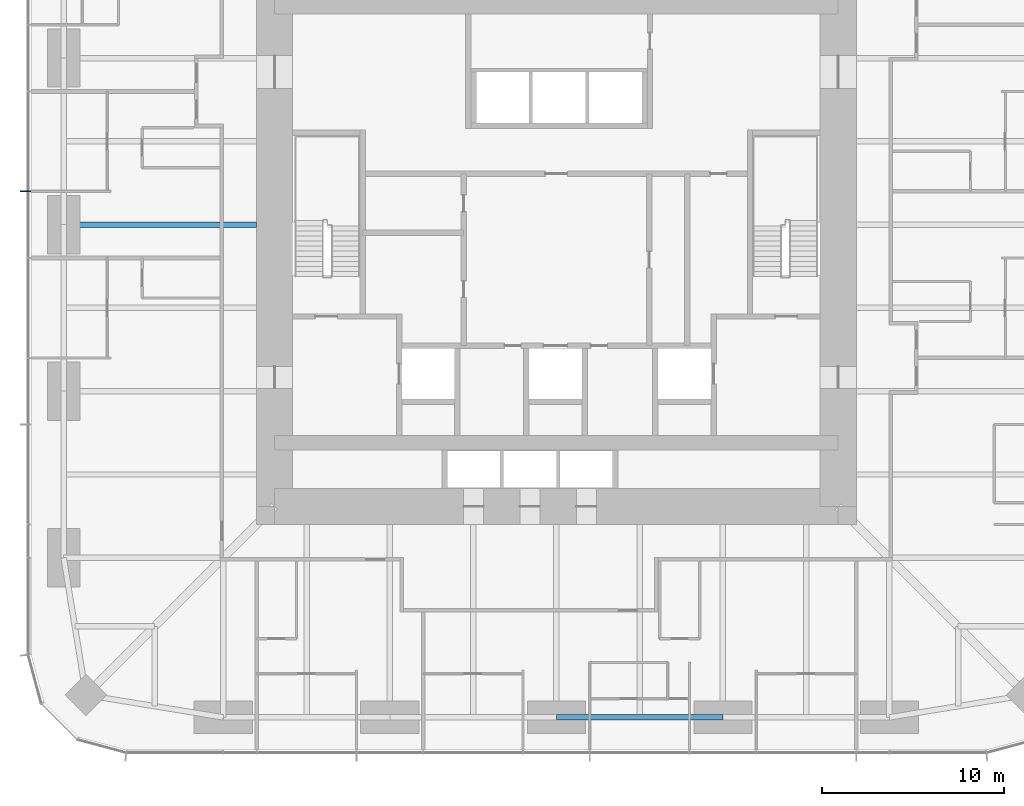
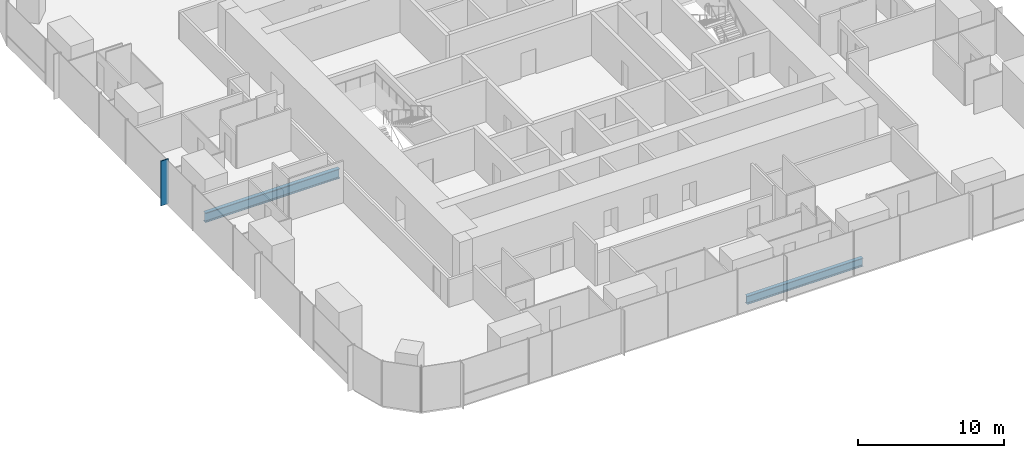
# One storey, part 3 of 13: 2 beams, 1 member, 1 element without a shape of its own.
"""IFC4 building model written with IfcOpenShell, lengths in metres."""

from ifc_helpers import new_model, si_unit, direction, frame, origin, origin_2d, place, context, subcontext, project, spatial, rectangle, i_section, extrude, material, material_profile, profile_set, type_object, element, aggregate, save


model = new_model("IFC4")

# Units and contexts
model_context = context("Model", 3, precision=1e-05, world=origin(), true_north=direction((0.0, 1.0)))
body_context = subcontext(model_context, "Body", "Model", "MODEL_VIEW")
ifc_project = project(units=[si_unit("LENGTHUNIT", "METRE"), si_unit("AREAUNIT", "SQUARE_METRE"), si_unit("VOLUMEUNIT", "CUBIC_METRE"), si_unit("PLANEANGLEUNIT", "RADIAN"), si_unit("MASSUNIT", "GRAM", prefix="KILO")], contexts=[model_context])

# Site, building, storey
site_placement = place(None, origin())
site = spatial("IfcSite", under=ifc_project, at=site_placement, CompositionType="ELEMENT")
building_placement = place(site_placement, origin())
building = spatial("IfcBuilding", under=site, at=building_placement, Name="Khuree Lantern Residences", CompositionType="ELEMENT")
storey_placement = place(building_placement, frame((0.0, 0.0, 133.5)))
storey = spatial("IfcBuildingStorey", under=building, at=storey_placement, Name="L33", CompositionType="ELEMENT", Elevation=133.5)

# Beam
ifc_material_1 = material(Name="Steel S355", Category="steel")
ifc_material_profile_1 = material_profile(ifc_material_1, i_section(OverallWidth=0.300048828125, OverallDepth=0.68994140625, WebThickness=0.014404296875, FlangeThickness=0.027099609375, FilletRadius=0.027099609375, at=origin_2d()), Name="HE 700 A")
ifc_profile_set_1 = profile_set([ifc_material_profile_1], Name="Steel S355")
beam_type_1 = type_object("IfcBeamType", Name="E-22 SPANDREL BEAM HE 700 A", PredefinedType="SPANDREL", material=ifc_profile_set_1)
beam_1_placement = place(storey_placement, frame((9.159912109375, -27.10009765625, -0.594970703125), z_axis=(-1.0, 0.0, 0.0), x_axis=(0.0, -1.0, 0.0)))
element("IfcBeam", 1, at=beam_1_placement, inside=storey, type_object=beam_type_1, Name="Spandrel beam S3", PredefinedType="SPANDREL", context=body_context, shape_type="SweptSolid", body=[
    extrude(i_section(OverallWidth=0.300048828125, OverallDepth=0.68994140625, WebThickness=0.014404296875, FlangeThickness=0.027099609375, FilletRadius=0.027099609375, at=origin_2d()), origin(), (0.0, 0.0, 1.0), 9.159912109375),
])

# Curtain wall, member
ifc_material_2 = material(Name="Bronze anodised aluminium", Category="aluminium")
curtain_wall_type = type_object("IfcCurtainWallType", Name="CW-T1 TOWER FACE CURTAIN WALL", PredefinedType="USERDEFINED", material=ifc_material_2)
curtain_wall_placement = place(storey_placement, origin())
curtain_wall = element("IfcCurtainWall", 2, at=curtain_wall_placement, inside=storey, type_object=curtain_wall_type, Name="L33 WEST FACE CURTAIN WALL", ObjectType="Stick-built curtain wall", PredefinedType="USERDEFINED")
ifc_material_profile_2 = material_profile(ifc_material_2, rectangle(XDim=0.06494140625, YDim=0.60009765625, at=origin_2d()), Name="F1 65X600")
ifc_profile_set_2 = profile_set([ifc_material_profile_2], Name="Bronze anodised aluminium")
member_type = type_object("IfcMemberType", Name="F1 BRONZE FIN MULLION TOWER 65X600", PredefinedType="MULLION", material=ifc_profile_set_2)
member_placement = place(storey_placement, frame((-29.199951171875, 1.83203125, 0.0), z_axis=(0.0, 0.0, 1.0), x_axis=(0.0, -1.0, 0.0)))
member = element("IfcMember", 3, at=member_placement, type_object=member_type, Name="L33 WEST FACE FIN MULLION 37", PredefinedType="MULLION", context=body_context, shape_type="SweptSolid", body=[
    extrude(rectangle(XDim=0.06494140625, YDim=0.60009765625, at=origin_2d()), origin(), (0.0, 0.0, 1.0), 3.75),
])
aggregate(curtain_wall, [member])

# Beam
ifc_material_profile_3 = material_profile(ifc_material_1, i_section(OverallWidth=0.300048828125, OverallDepth=0.800048828125, WebThickness=0.017578125, FlangeThickness=0.032958984375, FilletRadius=0.030029296875, at=origin_2d()), Name="HE 800 B")
ifc_profile_set_3 = profile_set([ifc_material_profile_3], Name="Steel S355")
beam_type_2 = type_object("IfcBeamType", Name="G-22 GIRDER HE 800 B", PredefinedType="BEAM", material=ifc_profile_set_3)
beam_2_placement = place(storey_placement, frame((-27.10009765625, 0.0, -0.64990234375), z_axis=(1.0, 0.0, 0.0), x_axis=(0.0, 1.0, 0.0)))
element("IfcBeam", 4, at=beam_2_placement, inside=storey, type_object=beam_type_2, Name="Girder W3", PredefinedType="BEAM", context=body_context, shape_type="SweptSolid", body=[
    extrude(i_section(OverallWidth=0.300048828125, OverallDepth=0.800048828125, WebThickness=0.017578125, FlangeThickness=0.032958984375, FilletRadius=0.030029296875, at=origin_2d()), origin(), (0.0, 0.0, 1.0), 10.60009765625),
])

save(model, "model.ifc")
